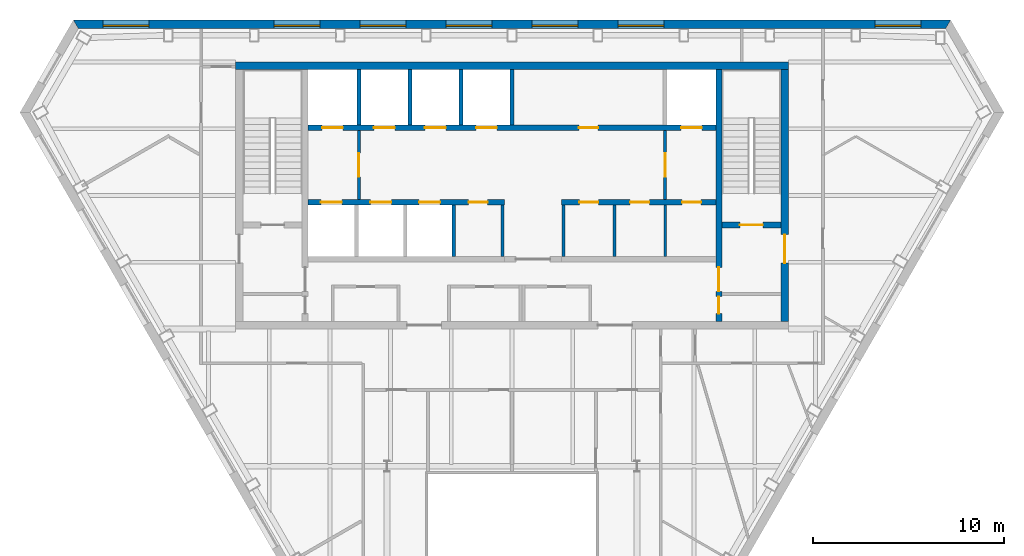
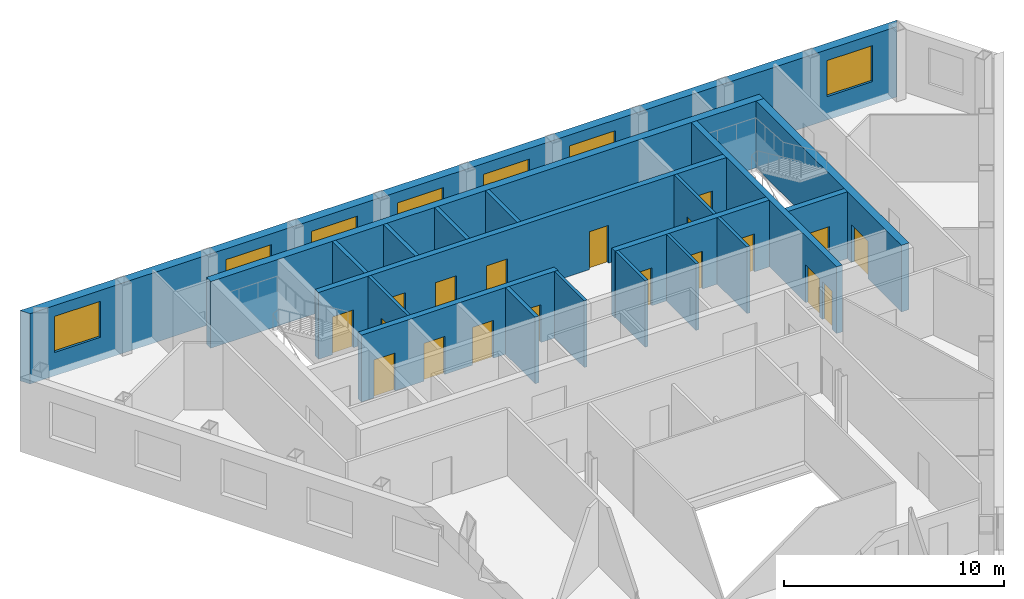
# One storey, part 6 of 10: 19 doors, 19 walls, 7 windows, 26 openings.
"""IFC4 building model written with IfcOpenShell, lengths in metres."""

from ifc_helpers import new_model, si_unit, direction, frame, frame_2d, origin, place, context, subcontext, project, spatial, polyline, rectangle, outline, extrude, material, layer, layer_set, type_object, element, fill, save


model = new_model("IFC4")

# Units and contexts
model_context = context("Model", 3, precision=1e-05, world=origin(), true_north=direction((0.0, 1.0)))
body_context = subcontext(model_context, "Body", "Model", "MODEL_VIEW")
ifc_project = project(units=[si_unit("LENGTHUNIT", "METRE"), si_unit("AREAUNIT", "SQUARE_METRE"), si_unit("VOLUMEUNIT", "CUBIC_METRE"), si_unit("PLANEANGLEUNIT", "RADIAN"), si_unit("MASSUNIT", "GRAM", prefix="KILO")], contexts=[model_context])

# Site, building, storey
site_placement = place(None, origin())
site = spatial("IfcSite", under=ifc_project, at=site_placement, CompositionType="ELEMENT")
building_placement = place(site_placement, origin())
building = spatial("IfcBuilding", under=site, at=building_placement, Name="Njiva Tower", CompositionType="ELEMENT")
storey_placement = place(building_placement, frame((0.0, 0.0, 276.6)))
storey = spatial("IfcBuildingStorey", under=building, at=storey_placement, Name="L63", CompositionType="ELEMENT", Elevation=276.6)

# Walls
ifc_material_1 = material(Name="Blockwork", Category="masonry")
ifc_layer_1 = layer(ifc_material_1, 0.15)
ifc_layer_set_1 = layer_set([ifc_layer_1], Name="Blockwork")
wall_type_1 = type_object("IfcWallType", Name="WT1 Compartment partition 150", PredefinedType="PARTITIONING", material=ifc_layer_set_1)
for number, where, z_axis, x_axis, name in (
    (1, (-0.5, 7.8, 0.0), (0.0, 0.0, 1.0), (0.0, 1.0, 0.0), "Partition CS4"),
    (2, (2.7, 7.8, 0.0), (0.0, 0.0, 1.0), (0.0, 1.0, 0.0), "Partition CS5"),
    (3, (5.3667, 7.8, 0.0), (0.0, 0.0, 1.0), (0.0, 1.0, 0.0), "Partition CS6"),
    (4, (8.0333, 7.8, 0.0), (0.0, 0.0, 1.0), (0.0, 1.0, 0.0), "Partition CS7"),
):
    element("IfcWall", number, at=place(storey_placement, frame(where, z_axis=z_axis, x_axis=x_axis)), inside=storey, type_object=wall_type_1, Name=name, PredefinedType="PARTITIONING", context=body_context, shape_type="SweptSolid", body=[
        extrude(rectangle(XDim=2.7, YDim=0.15, at=frame_2d((1.35, 0.0))), origin(), (0.0, 0.0, 1.0), 3.7),
    ])

# Wall, openings, doors
ifc_material_2 = material(Name="Concrete C40/50", Category="concrete")
ifc_layer_2 = layer(ifc_material_2, 0.3)
ifc_layer_set_2 = layer_set([ifc_layer_2], Name="Concrete C40/50")
wall_type_2 = type_object("IfcWallType", Name="WT10 Stair enclosure wall 300", PredefinedType="SHEAR", material=ifc_layer_set_2)
wall_1_placement = place(storey_placement, frame((10.85, 4.4, 0.0), z_axis=(0.0, 0.0, 1.0), x_axis=(0.0, 1.0, 0.0)))
wall_1 = element("IfcWall", 5, at=wall_1_placement, inside=storey, type_object=wall_type_2, Name="Stair wall east inner", PredefinedType="SHEAR", context=body_context, shape_type="SweptSolid", body=[
    extrude(rectangle(XDim=13.2, YDim=0.3, at=frame_2d((6.6, 0.0))), origin(), (0.0, 0.0, 1.0), 3.7),
])
opening_1_placement = place(wall_1_placement, frame((1.575, 0.0, 0.0)))
opening_1 = element("IfcOpeningElement", 6, at=opening_1_placement, cuts=wall_1, Name="Opening S20-D921", PredefinedType="OPENING", context=body_context, shape_type="SweptSolid", body=[
    extrude(rectangle(XDim=1.25, YDim=2.1, at=frame_2d((0.625, 1.05))), frame((0.0, 0.16, 0.0), z_axis=(0.0, -1.0, 0.0), x_axis=(1.0, 0.0, 0.0)), (0.0, 0.0, 1.0), 0.32),
])
opening_2_placement = place(wall_1_placement, frame((0.4, 0.0, 0.0)))
opening_2 = element("IfcOpeningElement", 7, at=opening_2_placement, cuts=wall_1, Name="Opening S20-D923", PredefinedType="OPENING", context=body_context, shape_type="SweptSolid", body=[
    extrude(rectangle(XDim=0.9, YDim=2.1, at=frame_2d((0.45, 1.05))), frame((0.0, 0.16, 0.0), z_axis=(0.0, -1.0, 0.0), x_axis=(1.0, 0.0, 0.0)), (0.0, 0.0, 1.0), 0.32),
])
ifc_material_3 = material(Name="Steel door, painted", Category="steel")
door_type_1 = type_object("IfcDoorType", Name="D13 Steel door 900x2100", OperationType="SINGLE_SWING_LEFT", PredefinedType="DOOR", material=ifc_material_3)
door_1_placement = place(opening_2_placement, origin())
door_1 = element("IfcDoor", 8, at=door_1_placement, inside=storey, type_object=door_type_1, Name="Breakout room door", OperationType="SINGLE_SWING_LEFT", OverallHeight=2.1, OverallWidth=0.9, PredefinedType="DOOR", context=body_context, shape_type="SweptSolid", body=[
    extrude(rectangle(XDim=0.9, YDim=2.1, at=frame_2d((0.45, 1.05))), frame((0.0, 0.025, 0.0), z_axis=(0.0, -1.0, 0.0), x_axis=(1.0, 0.0, 0.0)), (0.0, 0.0, 1.0), 0.05),
])
fill(opening_2, door_1)
ifc_material_4 = material(Name="Glazed steel fire door", Category="steel")
door_type_2 = type_object("IfcDoorType", Name="D8 Vestibule corridor door 1250x2100 glazed", OperationType="SINGLE_SWING_LEFT", PredefinedType="DOOR", material=ifc_material_4)
door_2_placement = place(opening_1_placement, origin())
door_2 = element("IfcDoor", 9, at=door_2_placement, inside=storey, type_object=door_type_2, Name="Stair vestibule corridor door", OperationType="SINGLE_SWING_RIGHT", OverallHeight=2.1, OverallWidth=1.25, PredefinedType="DOOR", context=body_context, shape_type="SweptSolid", body=[
    extrude(rectangle(XDim=1.25, YDim=2.1, at=frame_2d((0.625, 1.05))), frame((0.0, 0.025, 0.0), z_axis=(0.0, -1.0, 0.0), x_axis=(1.0, 0.0, 0.0)), (0.0, 0.0, 1.0), 0.05),
])
fill(opening_1, door_2)

# Wall, opening, door
wall_2_placement = place(storey_placement, frame((11.0, 9.45, 0.0), z_axis=(0.0, 0.0, 1.0), x_axis=(1.0, 0.0, 0.0)))
wall_2 = element("IfcWall", 10, at=wall_2_placement, inside=storey, type_object=wall_type_2, Name="Stair B south wall", PredefinedType="SHEAR", context=body_context, shape_type="SweptSolid", body=[
    extrude(rectangle(XDim=3.1, YDim=0.3, at=frame_2d((1.55, 0.0))), origin(), (0.0, 0.0, 1.0), 3.7),
])
opening_3_placement = place(wall_2_placement, frame((0.95, 0.0, 0.0)))
opening_3 = element("IfcOpeningElement", 11, at=opening_3_placement, cuts=wall_2, Name="Opening S20-D920", PredefinedType="OPENING", context=body_context, shape_type="SweptSolid", body=[
    extrude(rectangle(XDim=1.2, YDim=2.1, at=frame_2d((0.6, 1.05))), frame((0.0, 0.16, 0.0), z_axis=(0.0, -1.0, 0.0), x_axis=(1.0, 0.0, 0.0)), (0.0, 0.0, 1.0), 0.32),
])
door_type_3 = type_object("IfcDoorType", Name="D7 Stair vestibule door 1200x2100 glazed", OperationType="SINGLE_SWING_LEFT", PredefinedType="DOOR", material=ifc_material_4)
door_3_placement = place(opening_3_placement, origin())
door_3 = element("IfcDoor", 12, at=door_3_placement, inside=storey, type_object=door_type_3, Name="Stair B door", OperationType="SINGLE_SWING_LEFT", OverallHeight=2.1, OverallWidth=1.2, PredefinedType="DOOR", context=body_context, shape_type="SweptSolid", body=[
    extrude(rectangle(XDim=1.2, YDim=2.1, at=frame_2d((0.6, 1.05))), frame((0.0, 0.025, 0.0), z_axis=(0.0, -1.0, 0.0), x_axis=(1.0, 0.0, 0.0)), (0.0, 0.0, 1.0), 0.05),
])
fill(opening_3, door_3)

# Wall
ifc_material_5 = material(Name="Concrete C60/75", Category="concrete")
ifc_layer_3 = layer(ifc_material_5, 0.4)
ifc_layer_set_3 = layer_set([ifc_layer_3], Name="Concrete C60/75")
wall_type_3 = type_object("IfcWallType", Name="WT11 Core wall 400", PredefinedType="SHEAR", material=ifc_layer_set_3)
wall_3_placement = place(storey_placement, frame((-14.5, 17.8, 0.0), z_axis=(0.0, 0.0, 1.0), x_axis=(1.0, 0.0, 0.0)))
element("IfcWall", 13, at=wall_3_placement, inside=storey, type_object=wall_type_3, Name="Core wall north", PredefinedType="SHEAR", context=body_context, shape_type="SweptSolid", body=[
    extrude(rectangle(XDim=29.0, YDim=0.4, at=frame_2d((14.5, 0.0))), origin(), (0.0, 0.0, 1.0), 3.7),
])

# Wall, opening, door
wall_4_placement = place(storey_placement, frame((14.3, 4.4, 0.0), z_axis=(0.0, 0.0, 1.0), x_axis=(0.0, 1.0, 0.0)))
wall_4 = element("IfcWall", 14, at=wall_4_placement, inside=storey, type_object=wall_type_3, Name="Core wall east", PredefinedType="SHEAR", context=body_context, shape_type="SweptSolid", body=[
    extrude(rectangle(XDim=13.2, YDim=0.4, at=frame_2d((6.6, 0.0))), origin(), (0.0, 0.0, 1.0), 3.7),
])
opening_4_placement = place(wall_4_placement, frame((3.05, 0.0, 0.0)))
opening_4 = element("IfcOpeningElement", 15, at=opening_4_placement, cuts=wall_4, Name="Opening S20-D922", PredefinedType="OPENING", context=body_context, shape_type="SweptSolid", body=[
    extrude(rectangle(XDim=1.5, YDim=2.1, at=frame_2d((0.75, 1.05))), frame((0.0, 0.21, 0.0), z_axis=(0.0, -1.0, 0.0), x_axis=(1.0, 0.0, 0.0)), (0.0, 0.0, 1.0), 0.42),
])
door_type_4 = type_object("IfcDoorType", Name="D10 Exit door double 1500x2100 glazed", OperationType="DOUBLE_DOOR_SINGLE_SWING", PredefinedType="DOOR", material=ifc_material_4)
door_4_placement = place(opening_4_placement, origin())
door_4 = element("IfcDoor", 16, at=door_4_placement, inside=storey, type_object=door_type_4, Name="Stair B corridor door", OperationType="DOUBLE_DOOR_SINGLE_SWING", OverallHeight=2.1, OverallWidth=1.5, PredefinedType="DOOR", context=body_context, shape_type="SweptSolid", body=[
    extrude(rectangle(XDim=1.5, YDim=2.1, at=frame_2d((0.75, 1.05))), frame((0.0, 0.025, 0.0), z_axis=(0.0, -1.0, 0.0), x_axis=(1.0, 0.0, 0.0)), (0.0, 0.0, 1.0), 0.05),
])
fill(opening_4, door_4)

ifc_layer_4 = layer(ifc_material_1, 0.15)
ifc_layer_set_4 = layer_set([ifc_layer_4], Name="Blockwork")
wall_type_4 = type_object("IfcWallType", Name="WT2 Lobby partition 150", PredefinedType="PARTITIONING", material=ifc_layer_set_4)
wall_5_placement = place(storey_placement, frame((-8.025, 10.8, 0.0), z_axis=(0.0, 0.0, 1.0), x_axis=(0.0, 1.0, 0.0)))
wall_5 = element("IfcWall", 17, at=wall_5_placement, inside=storey, type_object=wall_type_4, Name="Firefighting lobby wall A", PredefinedType="PARTITIONING", context=body_context, shape_type="SweptSolid", body=[
    extrude(rectangle(XDim=3.6, YDim=0.15, at=frame_2d((1.8, 0.0))), origin(), (0.0, 0.0, 1.0), 3.7),
])
opening_5_placement = place(wall_5_placement, frame((1.175, 0.0, 0.0)))
opening_5 = element("IfcOpeningElement", 18, at=opening_5_placement, cuts=wall_5, Name="Opening S20-D914", PredefinedType="OPENING", context=body_context, shape_type="SweptSolid", body=[
    extrude(rectangle(XDim=1.25, YDim=2.1, at=frame_2d((0.625, 1.05))), frame((0.0, 0.085, 0.0), z_axis=(0.0, -1.0, 0.0), x_axis=(1.0, 0.0, 0.0)), (0.0, 0.0, 1.0), 0.17),
])
door_5_placement = place(opening_5_placement, origin())
door_5 = element("IfcDoor", 19, at=door_5_placement, inside=storey, type_object=door_type_2, Name="Stair vestibule corridor door", OperationType="SINGLE_SWING_RIGHT", OverallHeight=2.1, OverallWidth=1.25, PredefinedType="DOOR", context=body_context, shape_type="SweptSolid", body=[
    extrude(rectangle(XDim=1.25, YDim=2.1, at=frame_2d((0.625, 1.05))), frame((0.0, 0.025, 0.0), z_axis=(0.0, -1.0, 0.0), x_axis=(1.0, 0.0, 0.0)), (0.0, 0.0, 1.0), 0.05),
])
fill(opening_5, door_5)

wall_6_placement = place(storey_placement, frame((8.025, 10.8, 0.0), z_axis=(0.0, 0.0, 1.0), x_axis=(0.0, 1.0, 0.0)))
wall_6 = element("IfcWall", 20, at=wall_6_placement, inside=storey, type_object=wall_type_4, Name="Firefighting lobby wall B", PredefinedType="PARTITIONING", context=body_context, shape_type="SweptSolid", body=[
    extrude(rectangle(XDim=3.6, YDim=0.15, at=frame_2d((1.8, 0.0))), origin(), (0.0, 0.0, 1.0), 3.7),
])
opening_6_placement = place(wall_6_placement, frame((1.175, 0.0, 0.0)))
opening_6 = element("IfcOpeningElement", 21, at=opening_6_placement, cuts=wall_6, Name="Opening S20-D919", PredefinedType="OPENING", context=body_context, shape_type="SweptSolid", body=[
    extrude(rectangle(XDim=1.25, YDim=2.1, at=frame_2d((0.625, 1.05))), frame((0.0, 0.085, 0.0), z_axis=(0.0, -1.0, 0.0), x_axis=(1.0, 0.0, 0.0)), (0.0, 0.0, 1.0), 0.17),
])
door_6_placement = place(opening_6_placement, origin())
door_6 = element("IfcDoor", 22, at=door_6_placement, inside=storey, type_object=door_type_2, Name="Stair vestibule corridor door", OperationType="SINGLE_SWING_LEFT", OverallHeight=2.1, OverallWidth=1.25, PredefinedType="DOOR", context=body_context, shape_type="SweptSolid", body=[
    extrude(rectangle(XDim=1.25, YDim=2.1, at=frame_2d((0.625, 1.05))), frame((0.0, 0.025, 0.0), z_axis=(0.0, -1.0, 0.0), x_axis=(1.0, 0.0, 0.0)), (0.0, 0.0, 1.0), 0.05),
])
fill(opening_6, door_6)

# Walls
ifc_layer_5 = layer(ifc_material_2, 0.2)
ifc_layer_set_5 = layer_set([ifc_layer_5], Name="Concrete C40/50")
wall_type_5 = type_object("IfcWallType", Name="WT6 Lift shaft wall 200", PredefinedType="SHEAR", material=ifc_layer_set_5)
for number, where, z_axis, x_axis, name in (
    (23, (-8.025, 14.7, 0.0), (0.0, 0.0, 1.0), (0.0, 1.0, 0.0), "Shaft wall CN1"),
    (24, (-5.35, 14.7, 0.0), (0.0, 0.0, 1.0), (0.0, 1.0, 0.0), "Shaft wall CN2"),
    (25, (-2.675, 14.7, 0.0), (0.0, 0.0, 1.0), (0.0, 1.0, 0.0), "Shaft wall CN3"),
    (26, (0.0, 14.7, 0.0), (0.0, 0.0, 1.0), (0.0, 1.0, 0.0), "Shaft wall CN4"),
):
    element("IfcWall", number, at=place(storey_placement, frame(where, z_axis=z_axis, x_axis=x_axis)), inside=storey, type_object=wall_type_5, Name=name, PredefinedType="SHEAR", context=body_context, shape_type="SweptSolid", body=[
        extrude(rectangle(XDim=2.9, YDim=0.2, at=frame_2d((1.45, 0.0))), origin(), (0.0, 0.0, 1.0), 3.7),
    ])
wall_7_placement = place(storey_placement, frame((-3.05, 7.8, 0.0), z_axis=(0.0, 0.0, 1.0), x_axis=(0.0, 1.0, 0.0)))
element("IfcWall", 27, at=wall_7_placement, inside=storey, type_object=wall_type_5, Name="Shaft wall CS3", PredefinedType="SHEAR", context=body_context, shape_type="SweptSolid", body=[
    extrude(rectangle(XDim=2.7, YDim=0.2, at=frame_2d((1.35, 0.0))), origin(), (0.0, 0.0, 1.0), 3.7),
])

# Wall, openings, doors
ifc_layer_6 = layer(ifc_material_2, 0.3)
ifc_layer_set_6 = layer_set([ifc_layer_6], Name="Concrete C40/50")
wall_type_6 = type_object("IfcWallType", Name="WT7 Lift shaft wall 300", PredefinedType="SHEAR", material=ifc_layer_set_6)
wall_8_placement = place(storey_placement, frame((-10.7, 14.55, 0.0), z_axis=(0.0, 0.0, 1.0), x_axis=(1.0, 0.0, 0.0)))
wall_8 = element("IfcWall", 28, at=wall_8_placement, inside=storey, type_object=wall_type_6, Name="Shaft wall north row lobby side", PredefinedType="SHEAR", context=body_context, shape_type="SweptSolid", body=[
    extrude(rectangle(XDim=21.4, YDim=0.3, at=frame_2d((10.7, 0.0))), origin(), (0.0, 0.0, 1.0), 3.7),
])
opening_7_placement = place(wall_8_placement, frame((0.7375, 0.0, 0.0)))
opening_7 = element("IfcOpeningElement", 29, at=opening_7_placement, cuts=wall_8, Name="Opening S20-D901", PredefinedType="OPENING", context=body_context, shape_type="SweptSolid", body=[
    extrude(rectangle(XDim=1.1, YDim=2.1, at=frame_2d((0.55, 1.05))), frame((0.0, 0.16, 0.0), z_axis=(0.0, -1.0, 0.0), x_axis=(1.0, 0.0, 0.0)), (0.0, 0.0, 1.0), 0.32),
])
opening_8_placement = place(wall_8_placement, frame((3.4625, 0.0, 0.0)))
opening_8 = element("IfcOpeningElement", 30, at=opening_8_placement, cuts=wall_8, Name="Opening S20-D902", PredefinedType="OPENING", context=body_context, shape_type="SweptSolid", body=[
    extrude(rectangle(XDim=1.1, YDim=2.1, at=frame_2d((0.55, 1.05))), frame((0.0, 0.16, 0.0), z_axis=(0.0, -1.0, 0.0), x_axis=(1.0, 0.0, 0.0)), (0.0, 0.0, 1.0), 0.32),
])
opening_9_placement = place(wall_8_placement, frame((6.1375, 0.0, 0.0)))
opening_9 = element("IfcOpeningElement", 31, at=opening_9_placement, cuts=wall_8, Name="Opening S20-D903", PredefinedType="OPENING", context=body_context, shape_type="SweptSolid", body=[
    extrude(rectangle(XDim=1.1, YDim=2.1, at=frame_2d((0.55, 1.05))), frame((0.0, 0.16, 0.0), z_axis=(0.0, -1.0, 0.0), x_axis=(1.0, 0.0, 0.0)), (0.0, 0.0, 1.0), 0.32),
])
opening_10_placement = place(wall_8_placement, frame((8.8125, 0.0, 0.0)))
opening_10 = element("IfcOpeningElement", 32, at=opening_10_placement, cuts=wall_8, Name="Opening S20-D904", PredefinedType="OPENING", context=body_context, shape_type="SweptSolid", body=[
    extrude(rectangle(XDim=1.1, YDim=2.1, at=frame_2d((0.55, 1.05))), frame((0.0, 0.16, 0.0), z_axis=(0.0, -1.0, 0.0), x_axis=(1.0, 0.0, 0.0)), (0.0, 0.0, 1.0), 0.32),
])
opening_11_placement = place(wall_8_placement, frame((19.5625, 0.0, 0.0)))
opening_11 = element("IfcOpeningElement", 33, at=opening_11_placement, cuts=wall_8, Name="Opening S20-D905", PredefinedType="OPENING", context=body_context, shape_type="SweptSolid", body=[
    extrude(rectangle(XDim=1.1, YDim=2.1, at=frame_2d((0.55, 1.05))), frame((0.0, 0.16, 0.0), z_axis=(0.0, -1.0, 0.0), x_axis=(1.0, 0.0, 0.0)), (0.0, 0.0, 1.0), 0.32),
])
opening_12_placement = place(wall_8_placement, frame((14.2125, 0.0, 0.0)))
opening_12 = element("IfcOpeningElement", 34, at=opening_12_placement, cuts=wall_8, Name="Opening S20-D909", PredefinedType="OPENING", context=body_context, shape_type="SweptSolid", body=[
    extrude(rectangle(XDim=1.0, YDim=2.1, at=frame_2d((0.5, 1.05))), frame((0.0, 0.16, 0.0), z_axis=(0.0, -1.0, 0.0), x_axis=(1.0, 0.0, 0.0)), (0.0, 0.0, 1.0), 0.32),
])
door_type_5 = type_object("IfcDoorType", Name="D5 Steel door 1000x2100", OperationType="SINGLE_SWING_LEFT", PredefinedType="DOOR", material=ifc_material_3)
door_7_placement = place(opening_12_placement, origin())
door_7 = element("IfcDoor", 35, at=door_7_placement, inside=storey, type_object=door_type_5, Name="Prayer room door", OperationType="SINGLE_SWING_LEFT", OverallHeight=2.1, OverallWidth=1.0, PredefinedType="DOOR", context=body_context, shape_type="SweptSolid", body=[
    extrude(rectangle(XDim=1.0, YDim=2.1, at=frame_2d((0.5, 1.05))), frame((0.0, 0.025, 0.0), z_axis=(0.0, -1.0, 0.0), x_axis=(1.0, 0.0, 0.0)), (0.0, 0.0, 1.0), 0.05),
])
fill(opening_12, door_7)
ifc_material_6 = material(Name="Stainless steel sliding door", Category="steel")
door_type_6 = type_object("IfcDoorType", Name="LD Lift landing door 1100x2100", OperationType="SLIDING_TO_LEFT", PredefinedType="DOOR", material=ifc_material_6)
door_8_placement = place(opening_7_placement, origin())
door_8 = element("IfcDoor", 36, at=door_8_placement, inside=storey, type_object=door_type_6, Name="Lift landing door FF1", OperationType="SLIDING_TO_LEFT", OverallHeight=2.1, OverallWidth=1.1, PredefinedType="DOOR", context=body_context, shape_type="SweptSolid", body=[
    extrude(rectangle(XDim=1.1, YDim=2.1, at=frame_2d((0.55, 1.05))), frame((0.0, 0.025, 0.0), z_axis=(0.0, -1.0, 0.0), x_axis=(1.0, 0.0, 0.0)), (0.0, 0.0, 1.0), 0.05),
])
fill(opening_7, door_8)
door_9_placement = place(opening_8_placement, origin())
door_9 = element("IfcDoor", 37, at=door_9_placement, inside=storey, type_object=door_type_6, Name="Lift landing door HB4", OperationType="SLIDING_TO_LEFT", OverallHeight=2.1, OverallWidth=1.1, PredefinedType="DOOR", context=body_context, shape_type="SweptSolid", body=[
    extrude(rectangle(XDim=1.1, YDim=2.1, at=frame_2d((0.55, 1.05))), frame((0.0, 0.025, 0.0), z_axis=(0.0, -1.0, 0.0), x_axis=(1.0, 0.0, 0.0)), (0.0, 0.0, 1.0), 0.05),
])
fill(opening_8, door_9)
door_10_placement = place(opening_9_placement, origin())
door_10 = element("IfcDoor", 38, at=door_10_placement, inside=storey, type_object=door_type_6, Name="Lift landing door HB5", OperationType="SLIDING_TO_LEFT", OverallHeight=2.1, OverallWidth=1.1, PredefinedType="DOOR", context=body_context, shape_type="SweptSolid", body=[
    extrude(rectangle(XDim=1.1, YDim=2.1, at=frame_2d((0.55, 1.05))), frame((0.0, 0.025, 0.0), z_axis=(0.0, -1.0, 0.0), x_axis=(1.0, 0.0, 0.0)), (0.0, 0.0, 1.0), 0.05),
])
fill(opening_9, door_10)
door_11_placement = place(opening_10_placement, origin())
door_11 = element("IfcDoor", 39, at=door_11_placement, inside=storey, type_object=door_type_6, Name="Lift landing door HB6", OperationType="SLIDING_TO_LEFT", OverallHeight=2.1, OverallWidth=1.1, PredefinedType="DOOR", context=body_context, shape_type="SweptSolid", body=[
    extrude(rectangle(XDim=1.1, YDim=2.1, at=frame_2d((0.55, 1.05))), frame((0.0, 0.025, 0.0), z_axis=(0.0, -1.0, 0.0), x_axis=(1.0, 0.0, 0.0)), (0.0, 0.0, 1.0), 0.05),
])
fill(opening_10, door_11)
door_12_placement = place(opening_11_placement, origin())
door_12 = element("IfcDoor", 40, at=door_12_placement, inside=storey, type_object=door_type_6, Name="Lift landing door FF2", OperationType="SLIDING_TO_LEFT", OverallHeight=2.1, OverallWidth=1.1, PredefinedType="DOOR", context=body_context, shape_type="SweptSolid", body=[
    extrude(rectangle(XDim=1.1, YDim=2.1, at=frame_2d((0.55, 1.05))), frame((0.0, 0.025, 0.0), z_axis=(0.0, -1.0, 0.0), x_axis=(1.0, 0.0, 0.0)), (0.0, 0.0, 1.0), 0.05),
])
fill(opening_11, door_12)

wall_9_placement = place(storey_placement, frame((-10.7, 10.65, 0.0), z_axis=(0.0, 0.0, 1.0), x_axis=(1.0, 0.0, 0.0)))
wall_9 = element("IfcWall", 41, at=wall_9_placement, inside=storey, type_object=wall_type_6, Name="Shaft wall south row lobby side W", PredefinedType="SHEAR", context=body_context, shape_type="SweptSolid", body=[
    extrude(rectangle(XDim=10.3, YDim=0.3, at=frame_2d((5.15, 0.0))), origin(), (0.0, 0.0, 1.0), 3.7),
])
opening_13_placement = place(wall_9_placement, frame((0.675, 0.0, 0.0)))
opening_13 = element("IfcOpeningElement", 42, at=opening_13_placement, cuts=wall_9, Name="Opening S20-D906", PredefinedType="OPENING", context=body_context, shape_type="SweptSolid", body=[
    extrude(rectangle(XDim=1.1, YDim=2.1, at=frame_2d((0.55, 1.05))), frame((0.0, 0.16, 0.0), z_axis=(0.0, -1.0, 0.0), x_axis=(1.0, 0.0, 0.0)), (0.0, 0.0, 1.0), 0.32),
])
opening_14_placement = place(wall_9_placement, frame((3.275, 0.0, 0.0)))
opening_14 = element("IfcOpeningElement", 43, at=opening_14_placement, cuts=wall_9, Name="Opening S20-D907", PredefinedType="OPENING", context=body_context, shape_type="SweptSolid", body=[
    extrude(rectangle(XDim=1.1, YDim=2.1, at=frame_2d((0.55, 1.05))), frame((0.0, 0.16, 0.0), z_axis=(0.0, -1.0, 0.0), x_axis=(1.0, 0.0, 0.0)), (0.0, 0.0, 1.0), 0.32),
])
opening_15_placement = place(wall_9_placement, frame((5.825, 0.0, 0.0)))
opening_15 = element("IfcOpeningElement", 44, at=opening_15_placement, cuts=wall_9, Name="Opening S20-D908", PredefinedType="OPENING", context=body_context, shape_type="SweptSolid", body=[
    extrude(rectangle(XDim=1.1, YDim=2.1, at=frame_2d((0.55, 1.05))), frame((0.0, 0.16, 0.0), z_axis=(0.0, -1.0, 0.0), x_axis=(1.0, 0.0, 0.0)), (0.0, 0.0, 1.0), 0.32),
])
opening_16_placement = place(wall_9_placement, frame((8.425, 0.0, 0.0)))
opening_16 = element("IfcOpeningElement", 45, at=opening_16_placement, cuts=wall_9, Name="Opening S20-D910", PredefinedType="OPENING", context=body_context, shape_type="SweptSolid", body=[
    extrude(rectangle(XDim=1.0, YDim=2.1, at=frame_2d((0.5, 1.05))), frame((0.0, 0.16, 0.0), z_axis=(0.0, -1.0, 0.0), x_axis=(1.0, 0.0, 0.0)), (0.0, 0.0, 1.0), 0.32),
])
door_13_placement = place(opening_16_placement, origin())
door_13 = element("IfcDoor", 46, at=door_13_placement, inside=storey, type_object=door_type_5, Name="Business centre door", OperationType="SINGLE_SWING_RIGHT", OverallHeight=2.1, OverallWidth=1.0, PredefinedType="DOOR", context=body_context, shape_type="SweptSolid", body=[
    extrude(rectangle(XDim=1.0, YDim=2.1, at=frame_2d((0.5, 1.05))), frame((0.0, 0.025, 0.0), z_axis=(0.0, -1.0, 0.0), x_axis=(1.0, 0.0, 0.0)), (0.0, 0.0, 1.0), 0.05),
])
fill(opening_16, door_13)
door_14_placement = place(opening_13_placement, origin())
door_14 = element("IfcDoor", 47, at=door_14_placement, inside=storey, type_object=door_type_6, Name="Lift landing door HB1", OperationType="SLIDING_TO_LEFT", OverallHeight=2.1, OverallWidth=1.1, PredefinedType="DOOR", context=body_context, shape_type="SweptSolid", body=[
    extrude(rectangle(XDim=1.1, YDim=2.1, at=frame_2d((0.55, 1.05))), frame((0.0, 0.025, 0.0), z_axis=(0.0, -1.0, 0.0), x_axis=(1.0, 0.0, 0.0)), (0.0, 0.0, 1.0), 0.05),
])
fill(opening_13, door_14)
door_15_placement = place(opening_14_placement, origin())
door_15 = element("IfcDoor", 48, at=door_15_placement, inside=storey, type_object=door_type_6, Name="Lift landing door HB2", OperationType="SLIDING_TO_LEFT", OverallHeight=2.1, OverallWidth=1.1, PredefinedType="DOOR", context=body_context, shape_type="SweptSolid", body=[
    extrude(rectangle(XDim=1.1, YDim=2.1, at=frame_2d((0.55, 1.05))), frame((0.0, 0.025, 0.0), z_axis=(0.0, -1.0, 0.0), x_axis=(1.0, 0.0, 0.0)), (0.0, 0.0, 1.0), 0.05),
])
fill(opening_14, door_15)
door_16_placement = place(opening_15_placement, origin())
door_16 = element("IfcDoor", 49, at=door_16_placement, inside=storey, type_object=door_type_6, Name="Lift landing door HB3", OperationType="SLIDING_TO_LEFT", OverallHeight=2.1, OverallWidth=1.1, PredefinedType="DOOR", context=body_context, shape_type="SweptSolid", body=[
    extrude(rectangle(XDim=1.1, YDim=2.1, at=frame_2d((0.55, 1.05))), frame((0.0, 0.025, 0.0), z_axis=(0.0, -1.0, 0.0), x_axis=(1.0, 0.0, 0.0)), (0.0, 0.0, 1.0), 0.05),
])
fill(opening_15, door_16)

wall_10_placement = place(storey_placement, frame((2.6, 10.65, 0.0), z_axis=(0.0, 0.0, 1.0), x_axis=(1.0, 0.0, 0.0)))
wall_10 = element("IfcWall", 50, at=wall_10_placement, inside=storey, type_object=wall_type_6, Name="Shaft wall south row lobby side E", PredefinedType="SHEAR", context=body_context, shape_type="SweptSolid", body=[
    extrude(rectangle(XDim=8.1, YDim=0.3, at=frame_2d((4.05, 0.0))), origin(), (0.0, 0.0, 1.0), 3.7),
])
opening_17_placement = place(wall_10_placement, frame((0.9334, 0.0, 0.0)))
opening_17 = element("IfcOpeningElement", 51, at=opening_17_placement, cuts=wall_10, Name="Opening S20-D911", PredefinedType="OPENING", context=body_context, shape_type="SweptSolid", body=[
    extrude(rectangle(XDim=1.0, YDim=2.1, at=frame_2d((0.5, 1.05))), frame((0.0, 0.16, 0.0), z_axis=(0.0, -1.0, 0.0), x_axis=(1.0, 0.0, 0.0)), (0.0, 0.0, 1.0), 0.32),
])
opening_18_placement = place(wall_10_placement, frame((3.6, 0.0, 0.0)))
opening_18 = element("IfcOpeningElement", 52, at=opening_18_placement, cuts=wall_10, Name="Opening S20-D912", PredefinedType="OPENING", context=body_context, shape_type="SweptSolid", body=[
    extrude(rectangle(XDim=1.0, YDim=2.1, at=frame_2d((0.5, 1.05))), frame((0.0, 0.16, 0.0), z_axis=(0.0, -1.0, 0.0), x_axis=(1.0, 0.0, 0.0)), (0.0, 0.0, 1.0), 0.32),
])
opening_19_placement = place(wall_10_placement, frame((6.3167, 0.0, 0.0)))
opening_19 = element("IfcOpeningElement", 53, at=opening_19_placement, cuts=wall_10, Name="Opening S20-D913", PredefinedType="OPENING", context=body_context, shape_type="SweptSolid", body=[
    extrude(rectangle(XDim=1.0, YDim=2.1, at=frame_2d((0.5, 1.05))), frame((0.0, 0.16, 0.0), z_axis=(0.0, -1.0, 0.0), x_axis=(1.0, 0.0, 0.0)), (0.0, 0.0, 1.0), 0.32),
])
door_17_placement = place(opening_17_placement, origin())
door_17 = element("IfcDoor", 54, at=door_17_placement, inside=storey, type_object=door_type_5, Name="Meeting room door", OperationType="SINGLE_SWING_LEFT", OverallHeight=2.1, OverallWidth=1.0, PredefinedType="DOOR", context=body_context, shape_type="SweptSolid", body=[
    extrude(rectangle(XDim=1.0, YDim=2.1, at=frame_2d((0.5, 1.05))), frame((0.0, 0.025, 0.0), z_axis=(0.0, -1.0, 0.0), x_axis=(1.0, 0.0, 0.0)), (0.0, 0.0, 1.0), 0.05),
])
fill(opening_17, door_17)
door_18_placement = place(opening_18_placement, origin())
door_18 = element("IfcDoor", 55, at=door_18_placement, inside=storey, type_object=door_type_5, Name="Breakout room door", OperationType="SINGLE_SWING_RIGHT", OverallHeight=2.1, OverallWidth=1.0, PredefinedType="DOOR", context=body_context, shape_type="SweptSolid", body=[
    extrude(rectangle(XDim=1.0, YDim=2.1, at=frame_2d((0.5, 1.05))), frame((0.0, 0.025, 0.0), z_axis=(0.0, -1.0, 0.0), x_axis=(1.0, 0.0, 0.0)), (0.0, 0.0, 1.0), 0.05),
])
fill(opening_18, door_18)
door_19_placement = place(opening_19_placement, origin())
door_19 = element("IfcDoor", 56, at=door_19_placement, inside=storey, type_object=door_type_5, Name="Ventilation plant room door", OperationType="SINGLE_SWING_RIGHT", OverallHeight=2.1, OverallWidth=1.0, PredefinedType="DOOR", context=body_context, shape_type="SweptSolid", body=[
    extrude(rectangle(XDim=1.0, YDim=2.1, at=frame_2d((0.5, 1.05))), frame((0.0, 0.025, 0.0), z_axis=(0.0, -1.0, 0.0), x_axis=(1.0, 0.0, 0.0)), (0.0, 0.0, 1.0), 0.05),
])
fill(opening_19, door_19)

# Wall, openings, windows
ifc_material_7 = material(Name="Brick masonry", Category="masonry")
ifc_layer_7 = layer(ifc_material_7, 0.45)
ifc_layer_set_7 = layer_set([ifc_layer_7], Name="Brick masonry")
wall_type_7 = type_object("IfcWallType", Name="WT90 Brick pier and spandrel wall 450", PredefinedType="SOLIDWALL", material=ifc_layer_set_7)
wall_11_placement = place(storey_placement, frame((22.8701, 19.975, -0.4), z_axis=(0.0, 0.0, 1.0), x_axis=(-1.0, 0.0, 0.0)))
wall_11 = element("IfcWall", 57, at=wall_11_placement, inside=storey, type_object=wall_type_7, Name="Facade wall N", PredefinedType="SOLIDWALL", context=body_context, shape_type="SweptSolid", body=[
    extrude(outline(polyline([(-0.1299, -0.225), (45.8701, -0.225), (45.6103, 0.225), (0.1299, 0.225), (-0.1299, -0.225)])), origin(), (0.0, 0.0, 1.0), 3.9),
])
opening_20_placement = place(wall_11_placement, frame((1.4242, 0.0, 1.3)))
opening_20 = element("IfcOpeningElement", 58, at=opening_20_placement, cuts=wall_11, Name="Opening S20-W01", PredefinedType="OPENING", context=body_context, shape_type="SweptSolid", body=[
    extrude(rectangle(XDim=2.4, YDim=2.0, at=frame_2d((1.2, 1.0))), frame((0.0, 0.235, 0.0), z_axis=(0.0, -1.0, 0.0), x_axis=(1.0, 0.0, 0.0)), (0.0, 0.0, 1.0), 0.47),
])
opening_21_placement = place(wall_11_placement, frame((14.9087, 0.0, 1.3)))
opening_21 = element("IfcOpeningElement", 59, at=opening_21_placement, cuts=wall_11, Name="Opening S20-W02", PredefinedType="OPENING", context=body_context, shape_type="SweptSolid", body=[
    extrude(rectangle(XDim=2.4, YDim=2.0, at=frame_2d((1.2, 1.0))), frame((0.0, 0.235, 0.0), z_axis=(0.0, -1.0, 0.0), x_axis=(1.0, 0.0, 0.0)), (0.0, 0.0, 1.0), 0.47),
])
opening_22_placement = place(wall_11_placement, frame((19.4163, 0.0, 1.3)))
opening_22 = element("IfcOpeningElement", 60, at=opening_22_placement, cuts=wall_11, Name="Opening S20-W03", PredefinedType="OPENING", context=body_context, shape_type="SweptSolid", body=[
    extrude(rectangle(XDim=2.4, YDim=2.0, at=frame_2d((1.2, 1.0))), frame((0.0, 0.235, 0.0), z_axis=(0.0, -1.0, 0.0), x_axis=(1.0, 0.0, 0.0)), (0.0, 0.0, 1.0), 0.47),
])
opening_23_placement = place(wall_11_placement, frame((23.9239, 0.0, 1.3)))
opening_23 = element("IfcOpeningElement", 61, at=opening_23_placement, cuts=wall_11, Name="Opening S20-W04", PredefinedType="OPENING", context=body_context, shape_type="SweptSolid", body=[
    extrude(rectangle(XDim=2.4, YDim=2.0, at=frame_2d((1.2, 1.0))), frame((0.0, 0.235, 0.0), z_axis=(0.0, -1.0, 0.0), x_axis=(1.0, 0.0, 0.0)), (0.0, 0.0, 1.0), 0.47),
])
opening_24_placement = place(wall_11_placement, frame((28.4315, 0.0, 1.3)))
opening_24 = element("IfcOpeningElement", 62, at=opening_24_placement, cuts=wall_11, Name="Opening S20-W05", PredefinedType="OPENING", context=body_context, shape_type="SweptSolid", body=[
    extrude(rectangle(XDim=2.4, YDim=2.0, at=frame_2d((1.2, 1.0))), frame((0.0, 0.235, 0.0), z_axis=(0.0, -1.0, 0.0), x_axis=(1.0, 0.0, 0.0)), (0.0, 0.0, 1.0), 0.47),
])
opening_25_placement = place(wall_11_placement, frame((32.9391, 0.0, 1.3)))
opening_25 = element("IfcOpeningElement", 63, at=opening_25_placement, cuts=wall_11, Name="Opening S20-W06", PredefinedType="OPENING", context=body_context, shape_type="SweptSolid", body=[
    extrude(rectangle(XDim=2.4, YDim=2.0, at=frame_2d((1.2, 1.0))), frame((0.0, 0.235, 0.0), z_axis=(0.0, -1.0, 0.0), x_axis=(1.0, 0.0, 0.0)), (0.0, 0.0, 1.0), 0.47),
])
opening_26_placement = place(wall_11_placement, frame((41.916, 0.0, 1.3)))
opening_26 = element("IfcOpeningElement", 64, at=opening_26_placement, cuts=wall_11, Name="Opening S20-W07", PredefinedType="OPENING", context=body_context, shape_type="SweptSolid", body=[
    extrude(rectangle(XDim=2.4, YDim=2.0, at=frame_2d((1.2, 1.0))), frame((0.0, 0.235, 0.0), z_axis=(0.0, -1.0, 0.0), x_axis=(1.0, 0.0, 0.0)), (0.0, 0.0, 1.0), 0.47),
])
ifc_material_8 = material(Name="Clear glazing in aluminium frame", Category="aluminium")
window_type = type_object("IfcWindowType", Name="W90 Deep-set window 2400x2000", PartitioningType="SINGLE_PANEL", PredefinedType="WINDOW", material=ifc_material_8)
window_1_placement = place(opening_20_placement, origin())
window_1 = element("IfcWindow", 65, at=window_1_placement, inside=storey, type_object=window_type, Name="Window", OverallHeight=2.0, OverallWidth=2.4, PartitioningType="SINGLE_PANEL", PredefinedType="WINDOW", context=body_context, shape_type="SweptSolid", body=[
    extrude(rectangle(XDim=2.4, YDim=2.0, at=frame_2d((1.2, 1.0))), frame((0.0, 0.105, 0.0), z_axis=(0.0, -1.0, 0.0), x_axis=(1.0, 0.0, 0.0)), (0.0, 0.0, 1.0), 0.06),
])
fill(opening_20, window_1)
window_2_placement = place(opening_21_placement, origin())
window_2 = element("IfcWindow", 66, at=window_2_placement, inside=storey, type_object=window_type, Name="Window", OverallHeight=2.0, OverallWidth=2.4, PartitioningType="SINGLE_PANEL", PredefinedType="WINDOW", context=body_context, shape_type="SweptSolid", body=[
    extrude(rectangle(XDim=2.4, YDim=2.0, at=frame_2d((1.2, 1.0))), frame((0.0, 0.105, 0.0), z_axis=(0.0, -1.0, 0.0), x_axis=(1.0, 0.0, 0.0)), (0.0, 0.0, 1.0), 0.06),
])
fill(opening_21, window_2)
window_3_placement = place(opening_22_placement, origin())
window_3 = element("IfcWindow", 67, at=window_3_placement, inside=storey, type_object=window_type, Name="Window", OverallHeight=2.0, OverallWidth=2.4, PartitioningType="SINGLE_PANEL", PredefinedType="WINDOW", context=body_context, shape_type="SweptSolid", body=[
    extrude(rectangle(XDim=2.4, YDim=2.0, at=frame_2d((1.2, 1.0))), frame((0.0, 0.105, 0.0), z_axis=(0.0, -1.0, 0.0), x_axis=(1.0, 0.0, 0.0)), (0.0, 0.0, 1.0), 0.06),
])
fill(opening_22, window_3)
window_4_placement = place(opening_23_placement, origin())
window_4 = element("IfcWindow", 68, at=window_4_placement, inside=storey, type_object=window_type, Name="Window", OverallHeight=2.0, OverallWidth=2.4, PartitioningType="SINGLE_PANEL", PredefinedType="WINDOW", context=body_context, shape_type="SweptSolid", body=[
    extrude(rectangle(XDim=2.4, YDim=2.0, at=frame_2d((1.2, 1.0))), frame((0.0, 0.105, 0.0), z_axis=(0.0, -1.0, 0.0), x_axis=(1.0, 0.0, 0.0)), (0.0, 0.0, 1.0), 0.06),
])
fill(opening_23, window_4)
window_5_placement = place(opening_24_placement, origin())
window_5 = element("IfcWindow", 69, at=window_5_placement, inside=storey, type_object=window_type, Name="Window", OverallHeight=2.0, OverallWidth=2.4, PartitioningType="SINGLE_PANEL", PredefinedType="WINDOW", context=body_context, shape_type="SweptSolid", body=[
    extrude(rectangle(XDim=2.4, YDim=2.0, at=frame_2d((1.2, 1.0))), frame((0.0, 0.105, 0.0), z_axis=(0.0, -1.0, 0.0), x_axis=(1.0, 0.0, 0.0)), (0.0, 0.0, 1.0), 0.06),
])
fill(opening_24, window_5)
window_6_placement = place(opening_25_placement, origin())
window_6 = element("IfcWindow", 70, at=window_6_placement, inside=storey, type_object=window_type, Name="Window", OverallHeight=2.0, OverallWidth=2.4, PartitioningType="SINGLE_PANEL", PredefinedType="WINDOW", context=body_context, shape_type="SweptSolid", body=[
    extrude(rectangle(XDim=2.4, YDim=2.0, at=frame_2d((1.2, 1.0))), frame((0.0, 0.105, 0.0), z_axis=(0.0, -1.0, 0.0), x_axis=(1.0, 0.0, 0.0)), (0.0, 0.0, 1.0), 0.06),
])
fill(opening_25, window_6)
window_7_placement = place(opening_26_placement, origin())
window_7 = element("IfcWindow", 71, at=window_7_placement, inside=storey, type_object=window_type, Name="Window", OverallHeight=2.0, OverallWidth=2.4, PartitioningType="SINGLE_PANEL", PredefinedType="WINDOW", context=body_context, shape_type="SweptSolid", body=[
    extrude(rectangle(XDim=2.4, YDim=2.0, at=frame_2d((1.2, 1.0))), frame((0.0, 0.105, 0.0), z_axis=(0.0, -1.0, 0.0), x_axis=(1.0, 0.0, 0.0)), (0.0, 0.0, 1.0), 0.06),
])
fill(opening_26, window_7)

save(model, "model.ifc")
